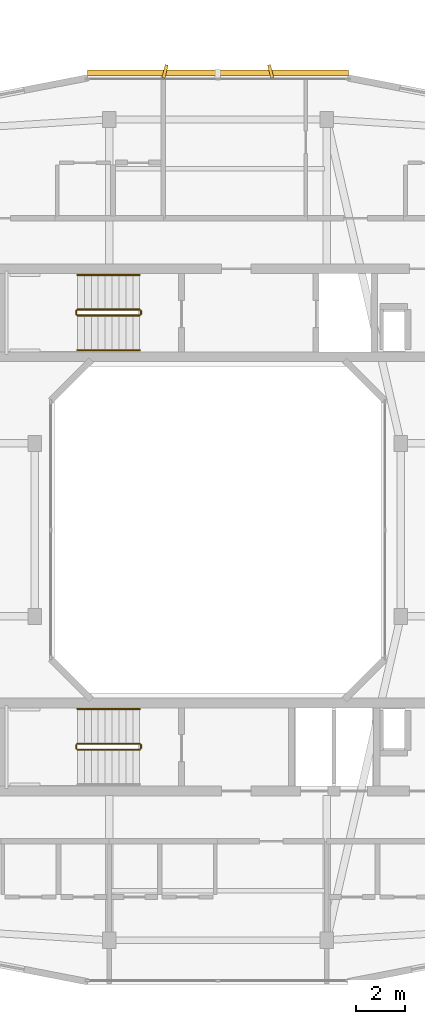
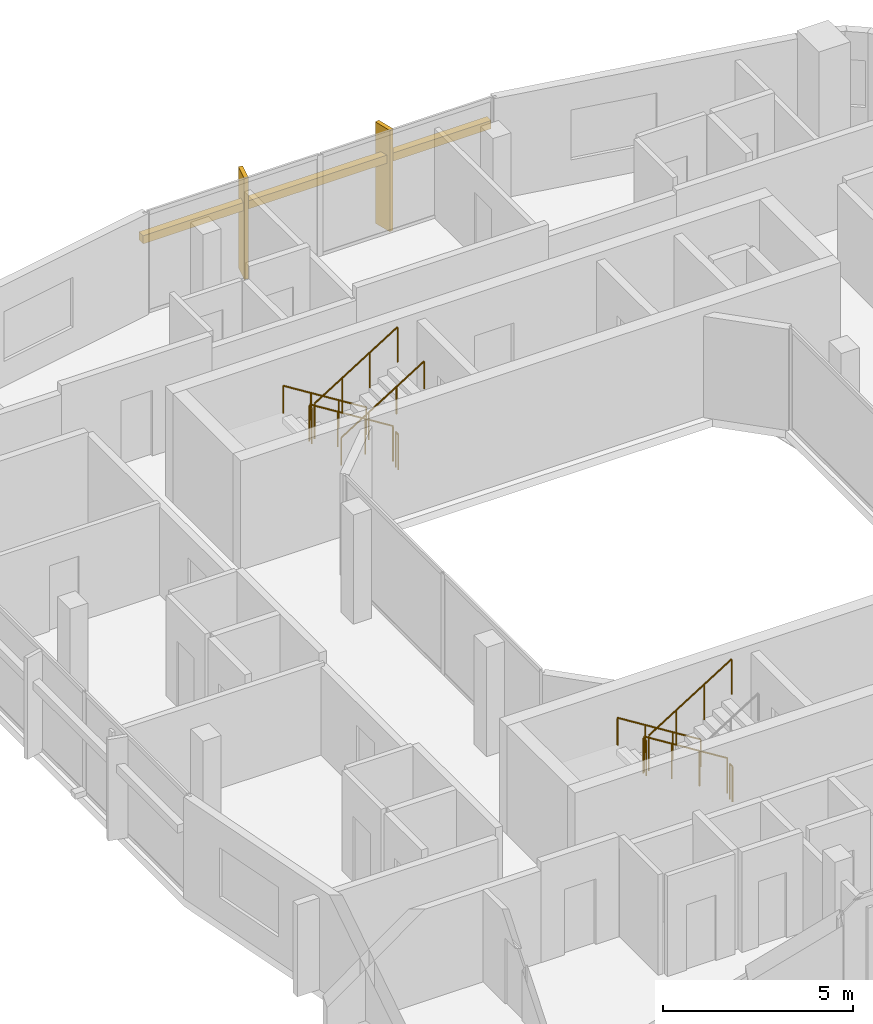
# One storey, part 26 of 26: 11 railings, 3 shading devices.
"""IFC4 building model written with IfcOpenShell, lengths in metres."""

from ifc_helpers import new_model, si_unit, derived_unit, direction, frame, origin, origin_2d, place, context, subcontext, project, spatial, rectangle, circle, extrude, material, type_object, element, save


model = new_model("IFC4")

# Units and contexts
model_context = context("Model", 3, precision=1e-05, world=origin(), true_north=direction((0.0, 1.0)))
body_context = subcontext(model_context, "Body", "Model", "MODEL_VIEW")
ifc_project = project(units=[si_unit("LENGTHUNIT", "METRE"), si_unit("AREAUNIT", "SQUARE_METRE"), si_unit("VOLUMEUNIT", "CUBIC_METRE"), si_unit("PLANEANGLEUNIT", "RADIAN"), si_unit("MASSUNIT", "GRAM", prefix="KILO"), derived_unit("THERMALTRANSMITTANCEUNIT", [(si_unit("POWERUNIT", "WATT"), 1), (si_unit("LENGTHUNIT", "METRE"), -2), (si_unit("THERMODYNAMICTEMPERATUREUNIT", "KELVIN"), -1)])], contexts=[model_context])

# Site, building, storey
site_placement = place(None, origin())
site = spatial("IfcSite", under=ifc_project, at=site_placement, CompositionType="ELEMENT")
building_placement = place(site_placement, origin())
building = spatial("IfcBuilding", under=site, at=building_placement, Name="Kivonza Crest Hotel", CompositionType="ELEMENT")
storey_placement = place(building_placement, frame((0.0, 0.0, 109.0)))
storey = spatial("IfcBuildingStorey", under=building, at=storey_placement, Name="L29", CompositionType="ELEMENT", Elevation=109.0)

# Railings
ifc_material_1 = material(Name="Brushed stainless steel handrail", Category="steel")
railing_type_1 = type_object("IfcRailingType", Name="RL-HAND-900", PredefinedType="HANDRAIL", material=ifc_material_1)
railing_1_placement = place(storey_placement, frame((73.840087890625, 35.31005859375, 0.175048828125)))
element("IfcRailing", 1, at=railing_1_placement, inside=storey, type_object=railing_type_1, Name="L29 ST-T2-N stair handrail 1", PredefinedType="HANDRAIL", context=body_context, shape_type="SweptSolid", body=[
    extrude(circle(Radius=0.02392578125, at=origin_2d()), frame((0.0, 0.0, 0.8759765625), z_axis=(-0.848007534815, 0.0, 0.529984170421), x_axis=(0.0, -1.0, 0.0)), (0.0, 0.0, 1.0), 2.9716796875),
    extrude(circle(Radius=0.02099609375, at=origin_2d()), origin(), (0.0, 0.0, 1.0), 0.851806640625),
    extrude(circle(Radius=0.02099609375, at=origin_2d()), frame((-0.840087890625, 0.0, 0.52490234375)), (0.0, 0.0, 1.0), 0.851806640625),
    extrude(circle(Radius=0.02099609375, at=origin_2d()), frame((-1.679931640625, 0.0, 1.050048828125)), (0.0, 0.0, 1.0), 0.851806640625),
    extrude(circle(Radius=0.02099609375, at=origin_2d()), frame((-2.52001953125, 0.0, 1.574951171875)), (0.0, 0.0, 1.0), 0.851806640625),
])
railing_2_placement = place(storey_placement, frame((71.320068359375, 32.27001953125, 1.925048828125)))
element("IfcRailing", 2, at=railing_2_placement, inside=storey, type_object=railing_type_1, Name="L29 ST-T2-N stair handrail 2", PredefinedType="HANDRAIL", context=body_context, shape_type="SweptSolid", body=[
    extrude(circle(Radius=0.02392578125, at=origin_2d()), frame((0.0, 0.0, 0.8759765625), z_axis=(0.848007534815, 0.0, 0.529984170421), x_axis=(0.0, 1.0, 0.0)), (0.0, 0.0, 1.0), 2.9716796875),
    extrude(circle(Radius=0.02099609375, at=origin_2d()), origin(), (0.0, 0.0, 1.0), 0.851806640625),
    extrude(circle(Radius=0.02099609375, at=origin_2d()), frame((0.840087890625, 0.0, 0.52490234375)), (0.0, 0.0, 1.0), 0.851806640625),
    extrude(circle(Radius=0.02099609375, at=origin_2d()), frame((1.679931640625, 0.0, 1.050048828125)), (0.0, 0.0, 1.0), 0.851806640625),
    extrude(circle(Radius=0.02099609375, at=origin_2d()), frame((2.52001953125, 0.0, 1.574951171875)), (0.0, 0.0, 1.0), 0.851806640625),
])
railing_3_placement = place(storey_placement, frame((73.840087890625, 17.75, 0.175048828125)))
element("IfcRailing", 3, at=railing_3_placement, inside=storey, type_object=railing_type_1, Name="L29 ST-T2-S stair handrail 1", PredefinedType="HANDRAIL", context=body_context, shape_type="SweptSolid", body=[
    extrude(circle(Radius=0.02392578125, at=origin_2d()), frame((0.0, 0.0, 0.8759765625), z_axis=(-0.848007534815, 0.0, 0.529984170421), x_axis=(0.0, -1.0, 0.0)), (0.0, 0.0, 1.0), 2.9716796875),
    extrude(circle(Radius=0.02099609375, at=origin_2d()), origin(), (0.0, 0.0, 1.0), 0.851806640625),
    extrude(circle(Radius=0.02099609375, at=origin_2d()), frame((-0.840087890625, 0.0, 0.52490234375)), (0.0, 0.0, 1.0), 0.851806640625),
    extrude(circle(Radius=0.02099609375, at=origin_2d()), frame((-1.679931640625, 0.0, 1.050048828125)), (0.0, 0.0, 1.0), 0.851806640625),
    extrude(circle(Radius=0.02099609375, at=origin_2d()), frame((-2.52001953125, 0.0, 1.574951171875)), (0.0, 0.0, 1.0), 0.851806640625),
])
ifc_material_2 = material(Name="Painted steel balustrade", Category="steel")
railing_type_2 = type_object("IfcRailingType", Name="RL-STAIR-1150", PredefinedType="BALUSTRADE", material=ifc_material_2)
railing_4_placement = place(storey_placement, frame((73.840087890625, 33.909912109375, 0.175048828125)))
element("IfcRailing", 4, at=railing_4_placement, inside=storey, type_object=railing_type_2, Name="L29 ST-T2-N stair guard 1", PredefinedType="BALUSTRADE", context=body_context, shape_type="SweptSolid", body=[
    extrude(circle(Radius=0.02392578125, at=origin_2d()), frame((0.0, 0.0, 1.1259765625), z_axis=(-0.848007534815, 0.0, 0.529984170421), x_axis=(0.0, -1.0, 0.0)), (0.0, 0.0, 1.0), 2.9716796875),
    extrude(circle(Radius=0.02099609375, at=origin_2d()), origin(), (0.0, 0.0, 1.0), 1.101806640625),
    extrude(circle(Radius=0.02099609375, at=origin_2d()), frame((-0.840087890625, 0.0, 0.52490234375)), (0.0, 0.0, 1.0), 1.101806640625),
    extrude(circle(Radius=0.02099609375, at=origin_2d()), frame((-1.679931640625, 0.0, 1.050048828125)), (0.0, 0.0, 1.0), 1.101806640625),
    extrude(circle(Radius=0.02099609375, at=origin_2d()), frame((-2.52001953125, 0.0, 1.574951171875)), (0.0, 0.0, 1.0), 1.101806640625),
])
railing_5_placement = place(storey_placement, frame((71.27001953125, 33.860107421875, 1.75)))
element("IfcRailing", 5, at=railing_5_placement, inside=storey, type_object=railing_type_2, Name="L29 ST-T2-N stair guard 2", PredefinedType="BALUSTRADE", context=body_context, shape_type="SweptSolid", body=[
    extrude(circle(Radius=0.02392578125, at=origin_2d()), frame((0.0, 0.0, 1.1259765625), z_axis=(0.0, -1.0, 0.0), x_axis=(1.0, 0.0, 0.0)), (0.0, 0.0, 1.0), 0.14013671875),
    extrude(circle(Radius=0.02099609375, at=origin_2d()), origin(), (0.0, 0.0, 1.0), 1.101806640625),
    extrude(circle(Radius=0.02099609375, at=origin_2d()), frame((0.0, -0.14013671875, 0.0)), (0.0, 0.0, 1.0), 1.101806640625),
])
railing_6_placement = place(storey_placement, frame((71.320068359375, 33.669921875, 1.925048828125)))
element("IfcRailing", 6, at=railing_6_placement, inside=storey, type_object=railing_type_2, Name="L29 ST-T2-N stair guard 3", PredefinedType="BALUSTRADE", context=body_context, shape_type="SweptSolid", body=[
    extrude(circle(Radius=0.02392578125, at=origin_2d()), frame((0.0, 0.0, 1.1259765625), z_axis=(0.848007534815, 0.0, 0.529984170421), x_axis=(0.0, 1.0, 0.0)), (0.0, 0.0, 1.0), 2.9716796875),
    extrude(circle(Radius=0.02099609375, at=origin_2d()), origin(), (0.0, 0.0, 1.0), 1.101806640625),
    extrude(circle(Radius=0.02099609375, at=origin_2d()), frame((0.840087890625, 0.0, 0.52490234375)), (0.0, 0.0, 1.0), 1.101806640625),
    extrude(circle(Radius=0.02099609375, at=origin_2d()), frame((1.679931640625, 0.0, 1.050048828125)), (0.0, 0.0, 1.0), 1.101806640625),
    extrude(circle(Radius=0.02099609375, at=origin_2d()), frame((2.52001953125, 0.0, 1.574951171875)), (0.0, 0.0, 1.0), 1.101806640625),
])
railing_7_placement = place(storey_placement, frame((73.889892578125, 33.860107421875, 0.0)))
element("IfcRailing", 7, at=railing_7_placement, inside=storey, type_object=railing_type_2, Name="L29 ST-T2-N stair guard 4", PredefinedType="BALUSTRADE", context=body_context, shape_type="SweptSolid", body=[
    extrude(circle(Radius=0.02392578125, at=origin_2d()), frame((0.0, 0.0, 1.1259765625), z_axis=(0.0, -1.0, 0.0), x_axis=(1.0, 0.0, 0.0)), (0.0, 0.0, 1.0), 0.14013671875),
    extrude(circle(Radius=0.02099609375, at=origin_2d()), origin(), (0.0, 0.0, 1.0), 1.101806640625),
    extrude(circle(Radius=0.02099609375, at=origin_2d()), frame((0.0, -0.14013671875, 0.0)), (0.0, 0.0, 1.0), 1.101806640625),
])
railing_8_placement = place(storey_placement, frame((73.840087890625, 16.35009765625, 0.175048828125)))
element("IfcRailing", 8, at=railing_8_placement, inside=storey, type_object=railing_type_2, Name="L29 ST-T2-S stair guard 1", PredefinedType="BALUSTRADE", context=body_context, shape_type="SweptSolid", body=[
    extrude(circle(Radius=0.02392578125, at=origin_2d()), frame((0.0, 0.0, 1.1259765625), z_axis=(-0.848007534815, 0.0, 0.529984170421), x_axis=(0.0, -1.0, 0.0)), (0.0, 0.0, 1.0), 2.9716796875),
    extrude(circle(Radius=0.02099609375, at=origin_2d()), origin(), (0.0, 0.0, 1.0), 1.101806640625),
    extrude(circle(Radius=0.02099609375, at=origin_2d()), frame((-0.840087890625, 0.0, 0.52490234375)), (0.0, 0.0, 1.0), 1.101806640625),
    extrude(circle(Radius=0.02099609375, at=origin_2d()), frame((-1.679931640625, 0.0, 1.050048828125)), (0.0, 0.0, 1.0), 1.101806640625),
    extrude(circle(Radius=0.02099609375, at=origin_2d()), frame((-2.52001953125, 0.0, 1.574951171875)), (0.0, 0.0, 1.0), 1.101806640625),
])
railing_9_placement = place(storey_placement, frame((71.27001953125, 16.300048828125, 1.75)))
element("IfcRailing", 9, at=railing_9_placement, inside=storey, type_object=railing_type_2, Name="L29 ST-T2-S stair guard 2", PredefinedType="BALUSTRADE", context=body_context, shape_type="SweptSolid", body=[
    extrude(circle(Radius=0.02392578125, at=origin_2d()), frame((0.0, 0.0, 1.1259765625), z_axis=(0.0, -1.0, 0.0), x_axis=(1.0, 0.0, 0.0)), (0.0, 0.0, 1.0), 0.14013671875),
    extrude(circle(Radius=0.02099609375, at=origin_2d()), origin(), (0.0, 0.0, 1.0), 1.101806640625),
    extrude(circle(Radius=0.02099609375, at=origin_2d()), frame((0.0, -0.14013671875, 0.0)), (0.0, 0.0, 1.0), 1.101806640625),
])
railing_10_placement = place(storey_placement, frame((71.320068359375, 16.110107421875, 1.925048828125)))
element("IfcRailing", 10, at=railing_10_placement, inside=storey, type_object=railing_type_2, Name="L29 ST-T2-S stair guard 3", PredefinedType="BALUSTRADE", context=body_context, shape_type="SweptSolid", body=[
    extrude(circle(Radius=0.02392578125, at=origin_2d()), frame((0.0, 0.0, 1.1259765625), z_axis=(0.848007534815, 0.0, 0.529984170421), x_axis=(0.0, 1.0, 0.0)), (0.0, 0.0, 1.0), 2.9716796875),
    extrude(circle(Radius=0.02099609375, at=origin_2d()), origin(), (0.0, 0.0, 1.0), 1.101806640625),
    extrude(circle(Radius=0.02099609375, at=origin_2d()), frame((0.840087890625, 0.0, 0.52490234375)), (0.0, 0.0, 1.0), 1.101806640625),
    extrude(circle(Radius=0.02099609375, at=origin_2d()), frame((1.679931640625, 0.0, 1.050048828125)), (0.0, 0.0, 1.0), 1.101806640625),
    extrude(circle(Radius=0.02099609375, at=origin_2d()), frame((2.52001953125, 0.0, 1.574951171875)), (0.0, 0.0, 1.0), 1.101806640625),
])
railing_11_placement = place(storey_placement, frame((73.889892578125, 16.300048828125, 0.0)))
element("IfcRailing", 11, at=railing_11_placement, inside=storey, type_object=railing_type_2, Name="L29 ST-T2-S stair guard 4", PredefinedType="BALUSTRADE", context=body_context, shape_type="SweptSolid", body=[
    extrude(circle(Radius=0.02392578125, at=origin_2d()), frame((0.0, 0.0, 1.1259765625), z_axis=(0.0, -1.0, 0.0), x_axis=(1.0, 0.0, 0.0)), (0.0, 0.0, 1.0), 0.14013671875),
    extrude(circle(Radius=0.02099609375, at=origin_2d()), origin(), (0.0, 0.0, 1.0), 1.101806640625),
    extrude(circle(Radius=0.02099609375, at=origin_2d()), frame((0.0, -0.14013671875, 0.0)), (0.0, 0.0, 1.0), 1.101806640625),
])

# Shading devices
ifc_material_3 = material(Name="Kiln-fired Nairobi red-ochre terracotta", Category="masonry")
shading_device_type_1 = type_object("IfcShadingDeviceType", Name="SH-BAGUETTE-300", PredefinedType="USERDEFINED", material=ifc_material_3)
shading_device_placement = place(storey_placement, frame((77.0, 43.47998046875, 2.14501953125), z_axis=(0.0, 0.0, 1.0), x_axis=(-1.0, 0.0, 0.0)))
element("IfcShadingDevice", 12, at=shading_device_placement, inside=storey, type_object=shading_device_type_1, Name="L29 terracotta baguette screen CW-T2-L29-26", ObjectType="BAGUETTE", PredefinedType="USERDEFINED", context=body_context, shape_type="SweptSolid", body=[
    extrude(rectangle(XDim=10.56005859375, YDim=0.219970703125, at=origin_2d()), origin(), (0.0, 0.0, 1.0), 0.260009765625),
])
ifc_material_4 = material(Name="Kiln-fired terracotta over extruded aluminium spine", Category="masonry")
shading_device_type_2 = type_object("IfcShadingDeviceType", Name="SH-FIN-550", PredefinedType="USERDEFINED", material=ifc_material_4)
for number, where, z_axis, x_axis, name in (
    (13, (79.135986328125, 43.5400390625, 0.0), (0.0, 0.0, 1.0), (-0.970295726276, -0.2419218956, 0.0), "L29 vertical solar shading fin CW-T2-L29-26-1"),
    (14, (74.864013671875, 43.5400390625, 0.0), (0.0, 0.0, 1.0), (-0.970295726276, 0.2419218956, 0.0), "L29 vertical solar shading fin CW-T2-L29-26-2"),
):
    element("IfcShadingDevice", number, at=place(storey_placement, frame(where, z_axis=z_axis, x_axis=x_axis)), inside=storey, type_object=shading_device_type_2, Name=name, ObjectType="FIN", PredefinedType="USERDEFINED", context=body_context, shape_type="SweptSolid", body=[
        extrude(rectangle(XDim=0.1201171875, YDim=0.550048828125, at=origin_2d()), origin(), (0.0, 0.0, 1.0), 3.25),
    ])

save(model, "model.ifc")
